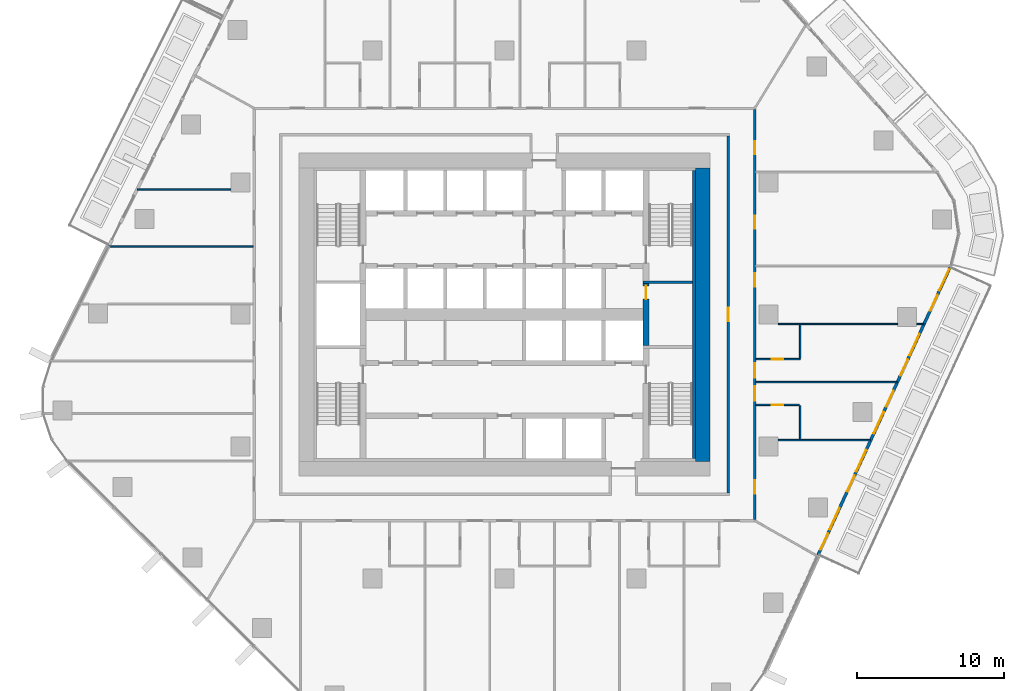
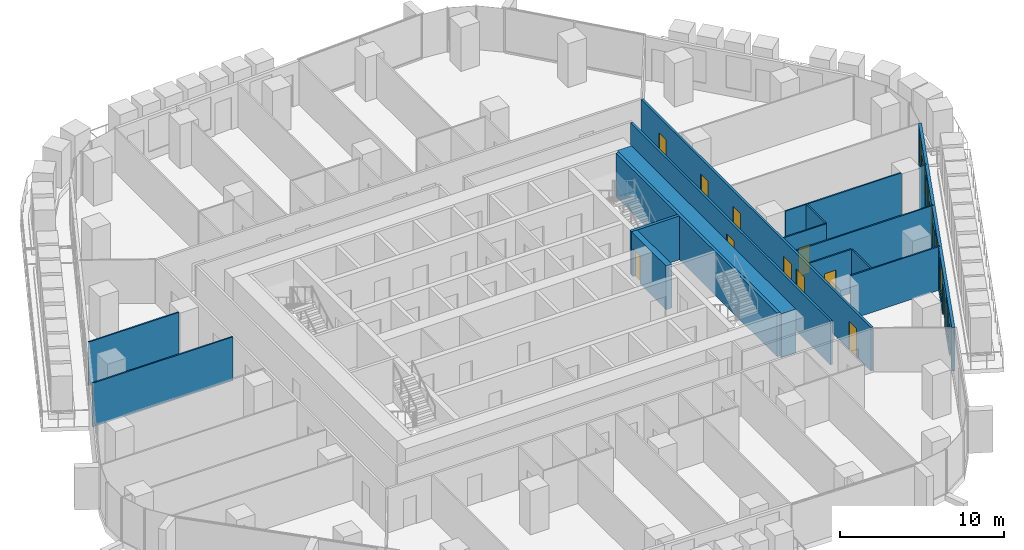
# One storey, part 14 of 24: 17 walls, 15 doors, 5 windows, 20 openings.
"""IFC4 building model written with IfcOpenShell, lengths in metres."""

from ifc_helpers import new_model, si_unit, direction, frame, frame_2d, origin, place, context, subcontext, project, spatial, rectangle, extrude, material, layer, layer_set, type_object, element, fill, save


model = new_model("IFC4")

# Units and contexts
model_context = context("Model", 3, precision=1e-05, world=origin(), true_north=direction((0.0, 1.0)))
body_context = subcontext(model_context, "Body", "Model", "MODEL_VIEW")
ifc_project = project(units=[si_unit("LENGTHUNIT", "METRE"), si_unit("AREAUNIT", "SQUARE_METRE"), si_unit("VOLUMEUNIT", "CUBIC_METRE"), si_unit("PLANEANGLEUNIT", "RADIAN"), si_unit("MASSUNIT", "GRAM", prefix="KILO")], contexts=[model_context])

# Site, building, storey
site_placement = place(None, origin())
site = spatial("IfcSite", under=ifc_project, at=site_placement, CompositionType="ELEMENT")
building_placement = place(site_placement, origin())
building = spatial("IfcBuilding", under=site, at=building_placement, Name="Dongbaek Canopy Tower", CompositionType="ELEMENT")
storey_placement = place(building_placement, frame((0.0, 0.0, 98.89990234375)))
storey = spatial("IfcBuildingStorey", under=building, at=storey_placement, Name="L20", CompositionType="ELEMENT", Elevation=98.89990234375)

# Walls
ifc_material_1 = material(Name="Concrete C60/75", Category="concrete")
ifc_layer_1 = layer(ifc_material_1, 1.0)
ifc_layer_set_1 = layer_set([ifc_layer_1], Name="Core outer wall 1000 Concrete C60/75")
wall_type_1 = type_object("IfcWallType", Name="Core outer wall 1000 Concrete C60/75", PredefinedType="SHEAR", material=ifc_layer_set_1)
wall_1_placement = place(storey_placement, frame((13.5, 10.0, 0.0), z_axis=(0.0, 0.0, 1.0), x_axis=(0.0, -1.0, 0.0)))
element("IfcWall", 1, at=wall_1_placement, inside=storey, type_object=wall_type_1, Name="Core wall", PredefinedType="SHEAR", context=body_context, shape_type="SweptSolid", body=[
    extrude(rectangle(XDim=20.0, YDim=1.0, at=frame_2d((10.0, 0.0))), origin(), (0.0, 0.0, 1.0), 3.25),
])
ifc_material_2 = material(Name="Concrete C60/75", Category="concrete")
ifc_layer_2 = layer(ifc_material_2, 0.199951171875)
ifc_layer_set_2 = layer_set([ifc_layer_2], Name="Core wall lining 200 Concrete C60/75")
wall_type_2 = type_object("IfcWallType", Name="Core wall lining 200 Concrete C60/75", PredefinedType="SHEAR", material=ifc_layer_set_2)
wall_2_placement = place(storey_placement, frame((12.89990234375, 9.800048828125, 0.0), z_axis=(0.0, 0.0, 1.0), x_axis=(0.0, -1.0, 0.0)))
element("IfcWall", 2, at=wall_2_placement, inside=storey, type_object=wall_type_2, Name="Core wall lining", PredefinedType="SHEAR", context=body_context, shape_type="SweptSolid", body=[
    extrude(rectangle(XDim=19.60009765625, YDim=0.199951171875, at=frame_2d((9.800048828125, 0.0))), origin(), (0.0, 0.0, 1.0), 3.25),
])

# Wall, openings, doors
ifc_material_3 = material(Name="Gypsum board partition, steel stud, 2 x 15 mm fire board", Category="steel")
ifc_layer_3 = layer(ifc_material_3, 0.14990234375)
ifc_layer_set_3 = layer_set([ifc_layer_3], Name="Fire-rated partition 150 gypsum board")
wall_type_3 = type_object("IfcWallType", Name="Fire-rated partition 150 gypsum board", PredefinedType="PARTITIONING", material=ifc_layer_set_3)
wall_3_placement = place(storey_placement, frame((17.050048828125, 13.97509765625, 0.0), z_axis=(0.0, 0.0, 1.0), x_axis=(0.0, -1.0, 0.0)))
wall_3 = element("IfcWall", 3, at=wall_3_placement, inside=storey, type_object=wall_type_3, Name="Corridor partition", PredefinedType="PARTITIONING", context=body_context, shape_type="SweptSolid", body=[
    extrude(rectangle(XDim=27.9501953125, YDim=0.14990234375, at=frame_2d((13.97509765625, 0.0))), origin(), (0.0, 0.0, 1.0), 3.25),
])
opening_1_placement = place(wall_3_placement, frame((25.273681640625, 0.0, 0.0)))
opening_1 = element("IfcOpeningElement", 4, at=opening_1_placement, cuts=wall_3, Name="Opening L20-D017", PredefinedType="OPENING", context=body_context, shape_type="SweptSolid", body=[
    extrude(rectangle(XDim=0.89990234375, YDim=2.10009765625, at=frame_2d((0.449951171875, 1.050048828125))), frame((0.0, 0.0849609375, 0.0), z_axis=(0.0, -1.0, 0.0), x_axis=(1.0, 0.0, 0.0)), (0.0, 0.0, 1.0), 0.169921875),
])
opening_2_placement = place(wall_3_placement, frame((18.85400390625, 0.0, 0.0)))
opening_2 = element("IfcOpeningElement", 5, at=opening_2_placement, cuts=wall_3, Name="Opening L20-D019", PredefinedType="OPENING", context=body_context, shape_type="SweptSolid", body=[
    extrude(rectangle(XDim=1.0, YDim=2.10009765625, at=frame_2d((0.5, 1.050048828125))), frame((0.0, 0.0849609375, 0.0), z_axis=(0.0, -1.0, 0.0), x_axis=(1.0, 0.0, 0.0)), (0.0, 0.0, 1.0), 0.169921875),
])
opening_3_placement = place(wall_3_placement, frame((17.298583984375, 0.0, 0.0)))
opening_3 = element("IfcOpeningElement", 6, at=opening_3_placement, cuts=wall_3, Name="Opening L20-D021", PredefinedType="OPENING", context=body_context, shape_type="SweptSolid", body=[
    extrude(rectangle(XDim=1.0, YDim=2.10009765625, at=frame_2d((0.5, 1.050048828125))), frame((0.0, 0.0849609375, 0.0), z_axis=(0.0, -1.0, 0.0), x_axis=(1.0, 0.0, 0.0)), (0.0, 0.0, 1.0), 0.169921875),
])
opening_4_placement = place(wall_3_placement, frame((11.170654296875, 0.0, 0.0)))
opening_4 = element("IfcOpeningElement", 7, at=opening_4_placement, cuts=wall_3, Name="Opening L20-D022", PredefinedType="OPENING", context=body_context, shape_type="SweptSolid", body=[
    extrude(rectangle(XDim=0.89990234375, YDim=2.10009765625, at=frame_2d((0.449951171875, 1.050048828125))), frame((0.0, 0.0849609375, 0.0), z_axis=(0.0, -1.0, 0.0), x_axis=(1.0, 0.0, 0.0)), (0.0, 0.0, 1.0), 0.169921875),
])
opening_5_placement = place(wall_3_placement, frame((7.242919921875, 0.0, 0.0)))
opening_5 = element("IfcOpeningElement", 8, at=opening_5_placement, cuts=wall_3, Name="Opening L20-D023", PredefinedType="OPENING", context=body_context, shape_type="SweptSolid", body=[
    extrude(rectangle(XDim=0.89990234375, YDim=2.10009765625, at=frame_2d((0.449951171875, 1.050048828125))), frame((0.0, 0.0849609375, 0.0), z_axis=(0.0, -1.0, 0.0), x_axis=(1.0, 0.0, 0.0)), (0.0, 0.0, 1.0), 0.169921875),
])
opening_6_placement = place(wall_3_placement, frame((2.15283203125, 0.0, 0.0)))
opening_6 = element("IfcOpeningElement", 9, at=opening_6_placement, cuts=wall_3, Name="Opening L20-D024", PredefinedType="OPENING", context=body_context, shape_type="SweptSolid", body=[
    extrude(rectangle(XDim=0.89990234375, YDim=2.10009765625, at=frame_2d((0.449951171875, 1.050048828125))), frame((0.0, 0.0849609375, 0.0), z_axis=(0.0, -1.0, 0.0), x_axis=(1.0, 0.0, 0.0)), (0.0, 0.0, 1.0), 0.169921875),
])
ifc_material_4 = material(Name="Timber veneered door leaf", Category="wood")
door_type_1 = type_object("IfcDoorType", Name="Guest room door 1000 x 2100", OperationType="SINGLE_SWING_LEFT", PredefinedType="DOOR", material=ifc_material_4)
door_1_placement = place(opening_2_placement, origin())
door_1 = element("IfcDoor", 10, at=door_1_placement, inside=storey, type_object=door_type_1, Name="Door L20-D019", OperationType="SINGLE_SWING_RIGHT", OverallHeight=2.10009765625, OverallWidth=1.0, PredefinedType="DOOR", context=body_context, shape_type="SweptSolid", body=[
    extrude(rectangle(XDim=1.0, YDim=2.10009765625, at=frame_2d((0.5, 1.050048828125))), frame((0.0, 0.02490234375, 0.0), z_axis=(0.0, -1.0, 0.0), x_axis=(1.0, 0.0, 0.0)), (0.0, 0.0, 1.0), 0.050048828125),
])
fill(opening_2, door_1)
door_2_placement = place(opening_3_placement, origin())
door_2 = element("IfcDoor", 11, at=door_2_placement, inside=storey, type_object=door_type_1, Name="Door L20-D021", OperationType="SINGLE_SWING_LEFT", OverallHeight=2.10009765625, OverallWidth=1.0, PredefinedType="DOOR", context=body_context, shape_type="SweptSolid", body=[
    extrude(rectangle(XDim=1.0, YDim=2.10009765625, at=frame_2d((0.5, 1.050048828125))), frame((0.0, 0.02490234375, 0.0), z_axis=(0.0, -1.0, 0.0), x_axis=(1.0, 0.0, 0.0)), (0.0, 0.0, 1.0), 0.050048828125),
])
fill(opening_3, door_2)
ifc_material_5 = material(Name="Timber veneered door leaf", Category="wood")
door_type_2 = type_object("IfcDoorType", Name="Room door 900 x 2100", OperationType="SINGLE_SWING_LEFT", PredefinedType="DOOR", material=ifc_material_5)
door_3_placement = place(opening_1_placement, origin())
door_3 = element("IfcDoor", 12, at=door_3_placement, inside=storey, type_object=door_type_2, Name="Door L20-D017", OperationType="SINGLE_SWING_LEFT", OverallHeight=2.10009765625, OverallWidth=0.89990234375, PredefinedType="DOOR", context=body_context, shape_type="SweptSolid", body=[
    extrude(rectangle(XDim=0.89990234375, YDim=2.10009765625, at=frame_2d((0.449951171875, 1.050048828125))), frame((0.0, 0.02490234375, 0.0), z_axis=(0.0, -1.0, 0.0), x_axis=(1.0, 0.0, 0.0)), (0.0, 0.0, 1.0), 0.050048828125),
])
fill(opening_1, door_3)
door_4_placement = place(opening_4_placement, origin())
door_4 = element("IfcDoor", 13, at=door_4_placement, inside=storey, type_object=door_type_2, Name="Door L20-D022", OperationType="SINGLE_SWING_RIGHT", OverallHeight=2.10009765625, OverallWidth=0.89990234375, PredefinedType="DOOR", context=body_context, shape_type="SweptSolid", body=[
    extrude(rectangle(XDim=0.89990234375, YDim=2.10009765625, at=frame_2d((0.449951171875, 1.050048828125))), frame((0.0, 0.02490234375, 0.0), z_axis=(0.0, -1.0, 0.0), x_axis=(1.0, 0.0, 0.0)), (0.0, 0.0, 1.0), 0.050048828125),
])
fill(opening_4, door_4)
door_5_placement = place(opening_5_placement, origin())
door_5 = element("IfcDoor", 14, at=door_5_placement, inside=storey, type_object=door_type_2, Name="Door L20-D023", OperationType="SINGLE_SWING_LEFT", OverallHeight=2.10009765625, OverallWidth=0.89990234375, PredefinedType="DOOR", context=body_context, shape_type="SweptSolid", body=[
    extrude(rectangle(XDim=0.89990234375, YDim=2.10009765625, at=frame_2d((0.449951171875, 1.050048828125))), frame((0.0, 0.02490234375, 0.0), z_axis=(0.0, -1.0, 0.0), x_axis=(1.0, 0.0, 0.0)), (0.0, 0.0, 1.0), 0.050048828125),
])
fill(opening_5, door_5)
door_6_placement = place(opening_6_placement, origin())
door_6 = element("IfcDoor", 15, at=door_6_placement, inside=storey, type_object=door_type_2, Name="Door L20-D024", OperationType="SINGLE_SWING_RIGHT", OverallHeight=2.10009765625, OverallWidth=0.89990234375, PredefinedType="DOOR", context=body_context, shape_type="SweptSolid", body=[
    extrude(rectangle(XDim=0.89990234375, YDim=2.10009765625, at=frame_2d((0.449951171875, 1.050048828125))), frame((0.0, 0.02490234375, 0.0), z_axis=(0.0, -1.0, 0.0), x_axis=(1.0, 0.0, 0.0)), (0.0, 0.0, 1.0), 0.050048828125),
])
fill(opening_6, door_6)

# Wall, opening, door
wall_4_placement = place(storey_placement, frame((15.25, -12.175048828125, 0.0), z_axis=(0.0, 0.0, 1.0), x_axis=(0.0, 1.0, 0.0)))
wall_4 = element("IfcWall", 16, at=wall_4_placement, inside=storey, type_object=wall_type_3, Name="Corridor partition", PredefinedType="PARTITIONING", context=body_context, shape_type="SweptSolid", body=[
    extrude(rectangle(XDim=24.35009765625, YDim=0.14990234375, at=frame_2d((12.175048828125, 0.0))), origin(), (0.0, 0.0, 1.0), 3.25),
])
opening_7_placement = place(wall_4_placement, frame((11.72509765625, 0.0, 0.0)))
opening_7 = element("IfcOpeningElement", 17, at=opening_7_placement, cuts=wall_4, Name="Opening L20-D040", PredefinedType="OPENING", context=body_context, shape_type="SweptSolid", body=[
    extrude(rectangle(XDim=0.89990234375, YDim=2.10009765625, at=frame_2d((0.449951171875, 1.050048828125))), frame((0.0, 0.0849609375, 0.0), z_axis=(0.0, -1.0, 0.0), x_axis=(1.0, 0.0, 0.0)), (0.0, 0.0, 1.0), 0.169921875),
])
door_7_placement = place(opening_7_placement, origin())
door_7 = element("IfcDoor", 18, at=door_7_placement, inside=storey, type_object=door_type_2, Name="Door L20-D040", OperationType="SINGLE_SWING_LEFT", OverallHeight=2.10009765625, OverallWidth=0.89990234375, PredefinedType="DOOR", context=body_context, shape_type="SweptSolid", body=[
    extrude(rectangle(XDim=0.89990234375, YDim=2.10009765625, at=frame_2d((0.449951171875, 1.050048828125))), frame((0.0, 0.02490234375, 0.0), z_axis=(0.0, -1.0, 0.0), x_axis=(1.0, 0.0, 0.0)), (0.0, 0.0, 1.0), 0.050048828125),
])
fill(opening_7, door_7)

# Wall
ifc_material_6 = material(Name="Gypsum board partition, steel stud, 2 x 12.5 mm board", Category="steel")
ifc_layer_4 = layer(ifc_material_6, 0.10009765625)
ifc_layer_set_4 = layer_set([ifc_layer_4], Name="Partition 100 gypsum board")
wall_type_4 = type_object("IfcWallType", Name="Partition 100 gypsum board", PredefinedType="PARTITIONING", material=ifc_layer_set_4)
wall_5_placement = place(storey_placement, frame((18.64990234375, -8.556884765625, 0.0), z_axis=(0.0, 0.0, 1.0), x_axis=(1.0, 0.0, 0.0)))
element("IfcWall", 19, at=wall_5_placement, inside=storey, type_object=wall_type_4, Name="Partition", PredefinedType="PARTITIONING", context=body_context, shape_type="SweptSolid", body=[
    extrude(rectangle(XDim=6.288330078125, YDim=0.10009765625, at=frame_2d((3.14404296875, 0.0))), origin(), (0.0, 0.0, 1.0), 3.25),
])

# Wall, opening, door
wall_6_placement = place(storey_placement, frame((20.10009765625, -6.156982421875, 0.0), z_axis=(0.0, 0.0, 1.0), x_axis=(-1.0, 0.0, 0.0)))
wall_6 = element("IfcWall", 20, at=wall_6_placement, inside=storey, type_object=wall_type_4, Name="Partition", PredefinedType="PARTITIONING", context=body_context, shape_type="SweptSolid", body=[
    extrude(rectangle(XDim=2.97509765625, YDim=0.10009765625, at=frame_2d((1.487548828125, 0.0))), origin(), (0.0, 0.0, 1.0), 3.25),
])
opening_8_placement = place(wall_6_placement, frame((1.10009765625, 0.0, 0.0)))
opening_8 = element("IfcOpeningElement", 21, at=opening_8_placement, cuts=wall_6, Name="Opening L20-D018", PredefinedType="OPENING", context=body_context, shape_type="SweptSolid", body=[
    extrude(rectangle(XDim=0.800048828125, YDim=2.10009765625, at=frame_2d((0.39990234375, 1.050048828125))), frame((0.0, 0.06005859375, 0.0), z_axis=(0.0, -1.0, 0.0), x_axis=(1.0, 0.0, 0.0)), (0.0, 0.0, 1.0), 0.1201171875),
])
ifc_material_7 = material(Name="Timber veneered door leaf", Category="wood")
door_type_3 = type_object("IfcDoorType", Name="En-suite door 800 x 2100", OperationType="SINGLE_SWING_LEFT", PredefinedType="DOOR", material=ifc_material_7)
door_8_placement = place(opening_8_placement, origin())
door_8 = element("IfcDoor", 22, at=door_8_placement, inside=storey, type_object=door_type_3, Name="Door L20-D018", OperationType="SINGLE_SWING_LEFT", OverallHeight=2.10009765625, OverallWidth=0.800048828125, PredefinedType="DOOR", context=body_context, shape_type="SweptSolid", body=[
    extrude(rectangle(XDim=0.800048828125, YDim=2.10009765625, at=frame_2d((0.39990234375, 1.050048828125))), frame((0.0, 0.02490234375, 0.0), z_axis=(0.0, -1.0, 0.0), x_axis=(1.0, 0.0, 0.0)), (0.0, 0.0, 1.0), 0.050048828125),
])
fill(opening_8, door_8)

# Wall
wall_7_placement = place(storey_placement, frame((17.125, -4.60107421875, 0.0), z_axis=(0.0, 0.0, 1.0), x_axis=(1.0, 0.0, 0.0)))
element("IfcWall", 23, at=wall_7_placement, inside=storey, type_object=wall_type_4, Name="Partition", PredefinedType="PARTITIONING", context=body_context, shape_type="SweptSolid", body=[
    extrude(rectangle(XDim=9.628662109375, YDim=0.10009765625, at=frame_2d((4.814453125, 0.0))), origin(), (0.0, 0.0, 1.0), 3.25),
])

# Wall, opening, door
wall_8_placement = place(storey_placement, frame((17.125, -3.0458984375, 0.0), z_axis=(0.0, 0.0, 1.0), x_axis=(1.0, 0.0, 0.0)))
wall_8 = element("IfcWall", 24, at=wall_8_placement, inside=storey, type_object=wall_type_4, Name="Partition", PredefinedType="PARTITIONING", context=body_context, shape_type="SweptSolid", body=[
    extrude(rectangle(XDim=3.02490234375, YDim=0.10009765625, at=frame_2d((1.512451171875, 0.0))), origin(), (0.0, 0.0, 1.0), 3.25),
])
opening_9_placement = place(wall_8_placement, frame((1.074951171875, 0.0, 0.0)))
opening_9 = element("IfcOpeningElement", 25, at=opening_9_placement, cuts=wall_8, Name="Opening L20-D020", PredefinedType="OPENING", context=body_context, shape_type="SweptSolid", body=[
    extrude(rectangle(XDim=0.800048828125, YDim=2.10009765625, at=frame_2d((0.39990234375, 1.050048828125))), frame((0.0, 0.06005859375, 0.0), z_axis=(0.0, -1.0, 0.0), x_axis=(1.0, 0.0, 0.0)), (0.0, 0.0, 1.0), 0.1201171875),
])
door_9_placement = place(opening_9_placement, origin())
door_9 = element("IfcDoor", 26, at=door_9_placement, inside=storey, type_object=door_type_3, Name="Door L20-D020", OperationType="SINGLE_SWING_RIGHT", OverallHeight=2.10009765625, OverallWidth=0.800048828125, PredefinedType="DOOR", context=body_context, shape_type="SweptSolid", body=[
    extrude(rectangle(XDim=0.800048828125, YDim=2.10009765625, at=frame_2d((0.39990234375, 1.050048828125))), frame((0.0, 0.02490234375, 0.0), z_axis=(0.0, -1.0, 0.0), x_axis=(1.0, 0.0, 0.0)), (0.0, 0.0, 1.0), 0.050048828125),
])
fill(opening_9, door_9)

# Walls
wall_9_placement = place(storey_placement, frame((18.64990234375, -0.64599609375, 0.0), z_axis=(0.0, 0.0, 1.0), x_axis=(1.0, 0.0, 0.0)))
element("IfcWall", 27, at=wall_9_placement, inside=storey, type_object=wall_type_4, Name="Partition", PredefinedType="PARTITIONING", context=body_context, shape_type="SweptSolid", body=[
    extrude(rectangle(XDim=8.135986328125, YDim=0.10009765625, at=frame_2d((4.06787109375, 0.0))), origin(), (0.0, 0.0, 1.0), 3.25),
])
wall_10_placement = place(storey_placement, frame((28.0859375, -0.64599609375, 0.0), z_axis=(0.0, 0.0, 1.0), x_axis=(1.0, 0.0, 0.0)))
element("IfcWall", 28, at=wall_10_placement, inside=storey, type_object=wall_type_4, Name="Partition", PredefinedType="PARTITIONING", context=body_context, shape_type="SweptSolid", body=[
    extrude(rectangle(XDim=0.483154296875, YDim=0.10009765625, at=frame_2d((0.24169921875, 0.0))), origin(), (0.0, 0.0, 1.0), 3.25),
])
wall_11_placement = place(storey_placement, frame((-26.965087890625, 4.6279296875, 0.0), z_axis=(0.0, 0.0, 1.0), x_axis=(1.0, 0.0, 0.0)))
element("IfcWall", 29, at=wall_11_placement, inside=storey, type_object=wall_type_4, Name="Partition", PredefinedType="PARTITIONING", context=body_context, shape_type="SweptSolid", body=[
    extrude(rectangle(XDim=9.840087890625, YDim=0.10009765625, at=frame_2d((4.919921875, 0.0))), origin(), (0.0, 0.0, 1.0), 3.25),
])
wall_12_placement = place(storey_placement, frame((-25.013427734375, 8.52294921875, 0.0), z_axis=(0.0, 0.0, 1.0), x_axis=(1.0, 0.0, 0.0)))
element("IfcWall", 30, at=wall_12_placement, inside=storey, type_object=wall_type_4, Name="Partition", PredefinedType="PARTITIONING", context=body_context, shape_type="SweptSolid", body=[
    extrude(rectangle(XDim=6.363525390625, YDim=0.10009765625, at=frame_2d((3.181640625, 0.0))), origin(), (0.0, 0.0, 1.0), 3.25),
])
wall_13_placement = place(storey_placement, frame((20.14990234375, -8.5068359375, 0.0), z_axis=(0.0, 0.0, 1.0), x_axis=(0.0, 1.0, 0.0)))
element("IfcWall", 31, at=wall_13_placement, inside=storey, type_object=wall_type_4, Name="Partition", PredefinedType="PARTITIONING", context=body_context, shape_type="SweptSolid", body=[
    extrude(rectangle(XDim=2.300048828125, YDim=0.10009765625, at=frame_2d((1.14990234375, 0.0))), origin(), (0.0, 0.0, 1.0), 3.25),
])
wall_14_placement = place(storey_placement, frame((20.14990234375, -2.99560546875, 0.0), z_axis=(0.0, 0.0, 1.0), x_axis=(0.0, 1.0, 0.0)))
element("IfcWall", 32, at=wall_14_placement, inside=storey, type_object=wall_type_4, Name="Partition", PredefinedType="PARTITIONING", context=body_context, shape_type="SweptSolid", body=[
    extrude(rectangle(XDim=2.299560546875, YDim=0.10009765625, at=frame_2d((1.14990234375, 0.0))), origin(), (0.0, 0.0, 1.0), 3.25),
])
ifc_material_8 = material(Name="Concrete C60/75", Category="concrete")
ifc_layer_5 = layer(ifc_material_8, 0.199951171875)
ifc_layer_set_5 = layer_set([ifc_layer_5], Name="Riser wall 200 Concrete C60/75")
wall_type_5 = type_object("IfcWallType", Name="Riser wall 200 Concrete C60/75", PredefinedType="SHEAR", material=ifc_layer_set_5)
wall_15_placement = place(storey_placement, frame((9.449951171875, 2.199951171875, 0.0), z_axis=(0.0, 0.0, 1.0), x_axis=(1.0, 0.0, 0.0)))
element("IfcWall", 33, at=wall_15_placement, inside=storey, type_object=wall_type_5, Name="Riser wall", PredefinedType="SHEAR", context=body_context, shape_type="SweptSolid", body=[
    extrude(rectangle(XDim=3.35009765625, YDim=0.199951171875, at=frame_2d((1.675048828125, 0.0))), origin(), (0.0, 0.0, 1.0), 3.25),
])

# Wall, opening, door
ifc_material_9 = material(Name="Concrete C60/75", Category="concrete")
ifc_layer_6 = layer(ifc_material_9, 0.39990234375)
ifc_layer_set_6 = layer_set([ifc_layer_6], Name="Stair wall 400 Concrete C60/75")
wall_type_6 = type_object("IfcWallType", Name="Stair wall 400 Concrete C60/75", PredefinedType="SHEAR", material=ifc_layer_set_6)
wall_16_placement = place(storey_placement, frame((9.64990234375, 2.10009765625, 0.0), z_axis=(0.0, 0.0, 1.0), x_axis=(0.0, -1.0, 0.0)))
wall_16 = element("IfcWall", 34, at=wall_16_placement, inside=storey, type_object=wall_type_6, Name="Stair wall", PredefinedType="SHEAR", context=body_context, shape_type="SweptSolid", body=[
    extrude(rectangle(XDim=4.2001953125, YDim=0.39990234375, at=frame_2d((2.10009765625, 0.0))), origin(), (0.0, 0.0, 1.0), 3.25),
])
opening_10_placement = place(wall_16_placement, frame((0.14990234375, 0.0, 0.0)))
opening_10 = element("IfcOpeningElement", 35, at=opening_10_placement, cuts=wall_16, Name="Opening L20-D041", PredefinedType="OPENING", context=body_context, shape_type="SweptSolid", body=[
    extrude(rectangle(XDim=0.89990234375, YDim=2.10009765625, at=frame_2d((0.449951171875, 1.050048828125))), frame((0.0, 0.2099609375, 0.0), z_axis=(0.0, -1.0, 0.0), x_axis=(1.0, 0.0, 0.0)), (0.0, 0.0, 1.0), 0.419921875),
])
ifc_material_10 = material(Name="Steel", Category="steel")
door_type_4 = type_object("IfcDoorType", Name="Core room door 900 x 2100", OperationType="SINGLE_SWING_LEFT", PredefinedType="DOOR", material=ifc_material_10)
door_10_placement = place(opening_10_placement, origin())
door_10 = element("IfcDoor", 36, at=door_10_placement, inside=storey, type_object=door_type_4, Name="Door L20-D041", OperationType="SINGLE_SWING_RIGHT", OverallHeight=2.10009765625, OverallWidth=0.89990234375, PredefinedType="DOOR", context=body_context, shape_type="SweptSolid", body=[
    extrude(rectangle(XDim=0.89990234375, YDim=2.10009765625, at=frame_2d((0.449951171875, 1.050048828125))), frame((0.0, 0.02490234375, 0.0), z_axis=(0.0, -1.0, 0.0), x_axis=(1.0, 0.0, 0.0)), (0.0, 0.0, 1.0), 0.050048828125),
])
fill(opening_10, door_10)

# Wall, openings, doors, windows
ifc_material_11 = material(Name="Aluminium window wall", Category="aluminium")
ifc_layer_7 = layer(ifc_material_11, 0.199951171875)
ifc_layer_set_7 = layer_set([ifc_layer_7], Name="Window wall 200")
wall_type_7 = type_object("IfcWallType", Name="Window wall 200", PredefinedType="SOLIDWALL", material=ifc_layer_set_7)
wall_17_placement = place(storey_placement, frame((21.329345703125, -16.468017578125, 0.0), z_axis=(0.0, 0.0, 1.0), x_axis=(0.417117833448, 0.908852415423, 0.0)))
wall_17 = element("IfcWall", 37, at=wall_17_placement, inside=storey, type_object=wall_type_7, Name="Window wall L20 5", PredefinedType="SOLIDWALL", context=body_context, shape_type="SweptSolid", body=[
    extrude(rectangle(XDim=21.761474609375, YDim=0.199951171875, at=frame_2d((10.880859375, 0.0))), origin(), (0.0, 0.0, 1.0), 3.25),
])
opening_11_placement = place(wall_17_placement, frame((2.0, 0.0, 0.60009765625)))
opening_11 = element("IfcOpeningElement", 38, at=opening_11_placement, cuts=wall_17, Name="Opening W1", PredefinedType="OPENING", context=body_context, shape_type="SweptSolid", body=[
    extrude(rectangle(XDim=1.60009765625, YDim=2.39990234375, at=frame_2d((0.800048828125, 1.199951171875))), frame((0.0, 0.10986328125, 0.0), z_axis=(0.0, -1.0, 0.0), x_axis=(1.0, 0.0, 0.0)), (0.0, 0.0, 1.0), 0.219970703125),
])
opening_12_placement = place(wall_17_placement, frame((0.5, 0.0, 0.0)))
opening_12 = element("IfcOpeningElement", 39, at=opening_12_placement, cuts=wall_17, Name="Opening L20-B15", PredefinedType="OPENING", context=body_context, shape_type="SweptSolid", body=[
    extrude(rectangle(XDim=1.199951171875, YDim=2.39990234375, at=frame_2d((0.60009765625, 1.199951171875))), frame((0.0, 0.10986328125, 0.0), z_axis=(0.0, -1.0, 0.0), x_axis=(1.0, 0.0, 0.0)), (0.0, 0.0, 1.0), 0.219970703125),
])
opening_13_placement = place(wall_17_placement, frame((6.352294921875, 0.0, 0.60009765625)))
opening_13 = element("IfcOpeningElement", 40, at=opening_13_placement, cuts=wall_17, Name="Opening W1", PredefinedType="OPENING", context=body_context, shape_type="SweptSolid", body=[
    extrude(rectangle(XDim=1.60009765625, YDim=2.39990234375, at=frame_2d((0.800048828125, 1.199951171875))), frame((0.0, 0.10986328125, 0.0), z_axis=(0.0, -1.0, 0.0), x_axis=(1.0, 0.0, 0.0)), (0.0, 0.0, 1.0), 0.219970703125),
])
opening_14_placement = place(wall_17_placement, frame((4.852294921875, 0.0, 0.0)))
opening_14 = element("IfcOpeningElement", 41, at=opening_14_placement, cuts=wall_17, Name="Opening L20-B16", PredefinedType="OPENING", context=body_context, shape_type="SweptSolid", body=[
    extrude(rectangle(XDim=1.199951171875, YDim=2.39990234375, at=frame_2d((0.60009765625, 1.199951171875))), frame((0.0, 0.10986328125, 0.0), z_axis=(0.0, -1.0, 0.0), x_axis=(1.0, 0.0, 0.0)), (0.0, 0.0, 1.0), 0.219970703125),
])
opening_15_placement = place(wall_17_placement, frame((9.20458984375, 0.0, 0.60009765625)))
opening_15 = element("IfcOpeningElement", 42, at=opening_15_placement, cuts=wall_17, Name="Opening W1", PredefinedType="OPENING", context=body_context, shape_type="SweptSolid", body=[
    extrude(rectangle(XDim=1.60009765625, YDim=2.39990234375, at=frame_2d((0.800048828125, 1.199951171875))), frame((0.0, 0.10986328125, 0.0), z_axis=(0.0, -1.0, 0.0), x_axis=(1.0, 0.0, 0.0)), (0.0, 0.0, 1.0), 0.219970703125),
])
opening_16_placement = place(wall_17_placement, frame((11.20458984375, 0.0, 0.0)))
opening_16 = element("IfcOpeningElement", 43, at=opening_16_placement, cuts=wall_17, Name="Opening L20-B17", PredefinedType="OPENING", context=body_context, shape_type="SweptSolid", body=[
    extrude(rectangle(XDim=1.199951171875, YDim=2.39990234375, at=frame_2d((0.60009765625, 1.199951171875))), frame((0.0, 0.10986328125, 0.0), z_axis=(0.0, -1.0, 0.0), x_axis=(1.0, 0.0, 0.0)), (0.0, 0.0, 1.0), 0.219970703125),
])
opening_17_placement = place(wall_17_placement, frame((15.05712890625, 0.0, 0.60009765625)))
opening_17 = element("IfcOpeningElement", 44, at=opening_17_placement, cuts=wall_17, Name="Opening W1", PredefinedType="OPENING", context=body_context, shape_type="SweptSolid", body=[
    extrude(rectangle(XDim=1.60009765625, YDim=2.39990234375, at=frame_2d((0.800048828125, 1.199951171875))), frame((0.0, 0.10986328125, 0.0), z_axis=(0.0, -1.0, 0.0), x_axis=(1.0, 0.0, 0.0)), (0.0, 0.0, 1.0), 0.219970703125),
])
opening_18_placement = place(wall_17_placement, frame((13.55712890625, 0.0, 0.0)))
opening_18 = element("IfcOpeningElement", 45, at=opening_18_placement, cuts=wall_17, Name="Opening L20-B18", PredefinedType="OPENING", context=body_context, shape_type="SweptSolid", body=[
    extrude(rectangle(XDim=1.199951171875, YDim=2.39990234375, at=frame_2d((0.60009765625, 1.199951171875))), frame((0.0, 0.10986328125, 0.0), z_axis=(0.0, -1.0, 0.0), x_axis=(1.0, 0.0, 0.0)), (0.0, 0.0, 1.0), 0.219970703125),
])
opening_19_placement = place(wall_17_placement, frame((19.909423828125, 0.0, 0.60009765625)))
opening_19 = element("IfcOpeningElement", 46, at=opening_19_placement, cuts=wall_17, Name="Opening W1", PredefinedType="OPENING", context=body_context, shape_type="SweptSolid", body=[
    extrude(rectangle(XDim=1.60009765625, YDim=2.39990234375, at=frame_2d((0.800048828125, 1.199951171875))), frame((0.0, 0.10986328125, 0.0), z_axis=(0.0, -1.0, 0.0), x_axis=(1.0, 0.0, 0.0)), (0.0, 0.0, 1.0), 0.219970703125),
])
opening_20_placement = place(wall_17_placement, frame((18.409423828125, 0.0, 0.0)))
opening_20 = element("IfcOpeningElement", 47, at=opening_20_placement, cuts=wall_17, Name="Opening L20-B19", PredefinedType="OPENING", context=body_context, shape_type="SweptSolid", body=[
    extrude(rectangle(XDim=1.199951171875, YDim=2.39990234375, at=frame_2d((0.60009765625, 1.199951171875))), frame((0.0, 0.10986328125, 0.0), z_axis=(0.0, -1.0, 0.0), x_axis=(1.0, 0.0, 0.0)), (0.0, 0.0, 1.0), 0.219970703125),
])
ifc_material_12 = material(Name="Clear glazing in aluminium frame", Category="aluminium")
door_type_5 = type_object("IfcDoorType", Name="Balcony door BD1 1200 x 2400", OperationType="SLIDING_TO_LEFT", PredefinedType="DOOR", material=ifc_material_12)
door_11_placement = place(opening_12_placement, origin())
door_11 = element("IfcDoor", 48, at=door_11_placement, inside=storey, type_object=door_type_5, Name="Balcony door L20-B15", OperationType="SLIDING_TO_LEFT", OverallHeight=2.39990234375, OverallWidth=1.199951171875, PredefinedType="DOOR", context=body_context, shape_type="SweptSolid", body=[
    extrude(rectangle(XDim=1.199951171875, YDim=2.39990234375, at=frame_2d((0.60009765625, 1.199951171875))), frame((0.0, 0.02490234375, 0.0), z_axis=(0.0, -1.0, 0.0), x_axis=(1.0, 0.0, 0.0)), (0.0, 0.0, 1.0), 0.050048828125),
])
fill(opening_12, door_11)
door_12_placement = place(opening_14_placement, origin())
door_12 = element("IfcDoor", 49, at=door_12_placement, inside=storey, type_object=door_type_5, Name="Balcony door L20-B16", OperationType="SLIDING_TO_LEFT", OverallHeight=2.39990234375, OverallWidth=1.199951171875, PredefinedType="DOOR", context=body_context, shape_type="SweptSolid", body=[
    extrude(rectangle(XDim=1.199951171875, YDim=2.39990234375, at=frame_2d((0.60009765625, 1.199951171875))), frame((0.0, 0.02490234375, 0.0), z_axis=(0.0, -1.0, 0.0), x_axis=(1.0, 0.0, 0.0)), (0.0, 0.0, 1.0), 0.050048828125),
])
fill(opening_14, door_12)
door_13_placement = place(opening_16_placement, origin())
door_13 = element("IfcDoor", 50, at=door_13_placement, inside=storey, type_object=door_type_5, Name="Balcony door L20-B17", OperationType="SLIDING_TO_LEFT", OverallHeight=2.39990234375, OverallWidth=1.199951171875, PredefinedType="DOOR", context=body_context, shape_type="SweptSolid", body=[
    extrude(rectangle(XDim=1.199951171875, YDim=2.39990234375, at=frame_2d((0.60009765625, 1.199951171875))), frame((0.0, 0.02490234375, 0.0), z_axis=(0.0, -1.0, 0.0), x_axis=(1.0, 0.0, 0.0)), (0.0, 0.0, 1.0), 0.050048828125),
])
fill(opening_16, door_13)
door_14_placement = place(opening_18_placement, origin())
door_14 = element("IfcDoor", 51, at=door_14_placement, inside=storey, type_object=door_type_5, Name="Balcony door L20-B18", OperationType="SLIDING_TO_LEFT", OverallHeight=2.39990234375, OverallWidth=1.199951171875, PredefinedType="DOOR", context=body_context, shape_type="SweptSolid", body=[
    extrude(rectangle(XDim=1.199951171875, YDim=2.39990234375, at=frame_2d((0.60009765625, 1.199951171875))), frame((0.0, 0.02490234375, 0.0), z_axis=(0.0, -1.0, 0.0), x_axis=(1.0, 0.0, 0.0)), (0.0, 0.0, 1.0), 0.050048828125),
])
fill(opening_18, door_14)
door_15_placement = place(opening_20_placement, origin())
door_15 = element("IfcDoor", 52, at=door_15_placement, inside=storey, type_object=door_type_5, Name="Balcony door L20-B19", OperationType="SLIDING_TO_LEFT", OverallHeight=2.39990234375, OverallWidth=1.199951171875, PredefinedType="DOOR", context=body_context, shape_type="SweptSolid", body=[
    extrude(rectangle(XDim=1.199951171875, YDim=2.39990234375, at=frame_2d((0.60009765625, 1.199951171875))), frame((0.0, 0.02490234375, 0.0), z_axis=(0.0, -1.0, 0.0), x_axis=(1.0, 0.0, 0.0)), (0.0, 0.0, 1.0), 0.050048828125),
])
fill(opening_20, door_15)
ifc_material_13 = material(Name="Clear glazing in aluminium frame", Category="aluminium")
window_type = type_object("IfcWindowType", Name="Window W1 1600 x 2400", PartitioningType="SINGLE_PANEL", PredefinedType="WINDOW", material=ifc_material_13)
window_1_placement = place(opening_11_placement, origin())
window_1 = element("IfcWindow", 53, at=window_1_placement, inside=storey, type_object=window_type, Name="Window L20 5.1", OverallHeight=2.39990234375, OverallWidth=1.60009765625, PartitioningType="SINGLE_PANEL", PredefinedType="WINDOW", context=body_context, shape_type="SweptSolid", body=[
    extrude(rectangle(XDim=1.60009765625, YDim=2.39990234375, at=frame_2d((0.800048828125, 1.199951171875))), frame((0.0, 0.030029296875, 0.0), z_axis=(0.0, -1.0, 0.0), x_axis=(1.0, 0.0, 0.0)), (0.0, 0.0, 1.0), 0.06005859375),
])
fill(opening_11, window_1)
window_2_placement = place(opening_13_placement, origin())
window_2 = element("IfcWindow", 54, at=window_2_placement, inside=storey, type_object=window_type, Name="Window L20 5.2", OverallHeight=2.39990234375, OverallWidth=1.60009765625, PartitioningType="SINGLE_PANEL", PredefinedType="WINDOW", context=body_context, shape_type="SweptSolid", body=[
    extrude(rectangle(XDim=1.60009765625, YDim=2.39990234375, at=frame_2d((0.800048828125, 1.199951171875))), frame((0.0, 0.030029296875, 0.0), z_axis=(0.0, -1.0, 0.0), x_axis=(1.0, 0.0, 0.0)), (0.0, 0.0, 1.0), 0.06005859375),
])
fill(opening_13, window_2)
window_3_placement = place(opening_15_placement, origin())
window_3 = element("IfcWindow", 55, at=window_3_placement, inside=storey, type_object=window_type, Name="Window L20 5.3", OverallHeight=2.39990234375, OverallWidth=1.60009765625, PartitioningType="SINGLE_PANEL", PredefinedType="WINDOW", context=body_context, shape_type="SweptSolid", body=[
    extrude(rectangle(XDim=1.60009765625, YDim=2.39990234375, at=frame_2d((0.800048828125, 1.199951171875))), frame((0.0, 0.030029296875, 0.0), z_axis=(0.0, -1.0, 0.0), x_axis=(1.0, 0.0, 0.0)), (0.0, 0.0, 1.0), 0.06005859375),
])
fill(opening_15, window_3)
window_4_placement = place(opening_17_placement, origin())
window_4 = element("IfcWindow", 56, at=window_4_placement, inside=storey, type_object=window_type, Name="Window L20 5.4", OverallHeight=2.39990234375, OverallWidth=1.60009765625, PartitioningType="SINGLE_PANEL", PredefinedType="WINDOW", context=body_context, shape_type="SweptSolid", body=[
    extrude(rectangle(XDim=1.60009765625, YDim=2.39990234375, at=frame_2d((0.800048828125, 1.199951171875))), frame((0.0, 0.030029296875, 0.0), z_axis=(0.0, -1.0, 0.0), x_axis=(1.0, 0.0, 0.0)), (0.0, 0.0, 1.0), 0.06005859375),
])
fill(opening_17, window_4)
window_5_placement = place(opening_19_placement, origin())
window_5 = element("IfcWindow", 57, at=window_5_placement, inside=storey, type_object=window_type, Name="Window L20 5.5", OverallHeight=2.39990234375, OverallWidth=1.60009765625, PartitioningType="SINGLE_PANEL", PredefinedType="WINDOW", context=body_context, shape_type="SweptSolid", body=[
    extrude(rectangle(XDim=1.60009765625, YDim=2.39990234375, at=frame_2d((0.800048828125, 1.199951171875))), frame((0.0, 0.030029296875, 0.0), z_axis=(0.0, -1.0, 0.0), x_axis=(1.0, 0.0, 0.0)), (0.0, 0.0, 1.0), 0.06005859375),
])
fill(opening_19, window_5)

save(model, "model.ifc")
